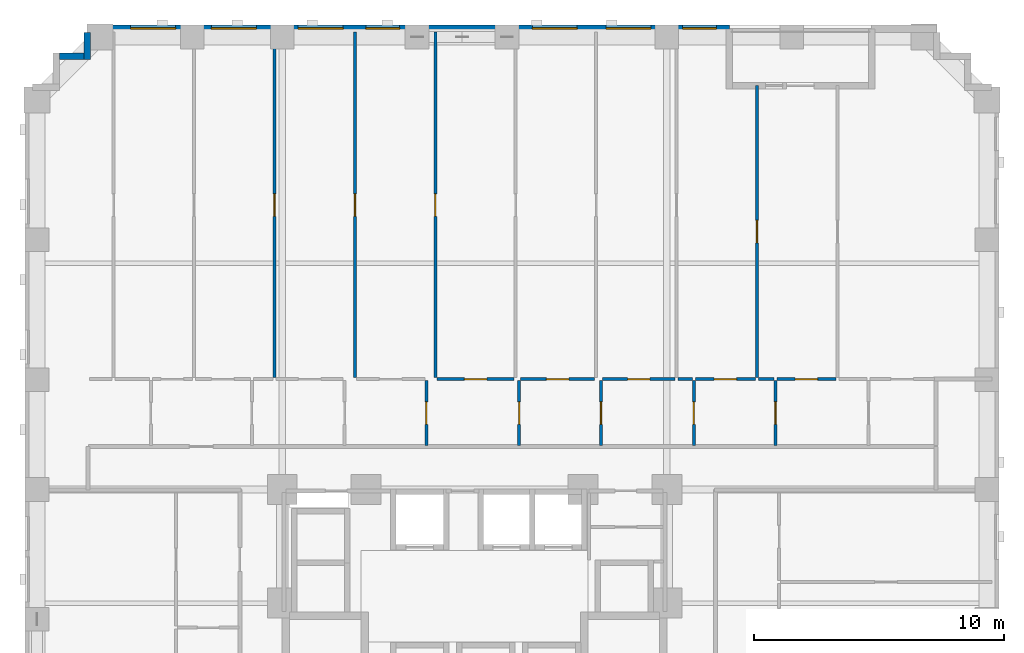
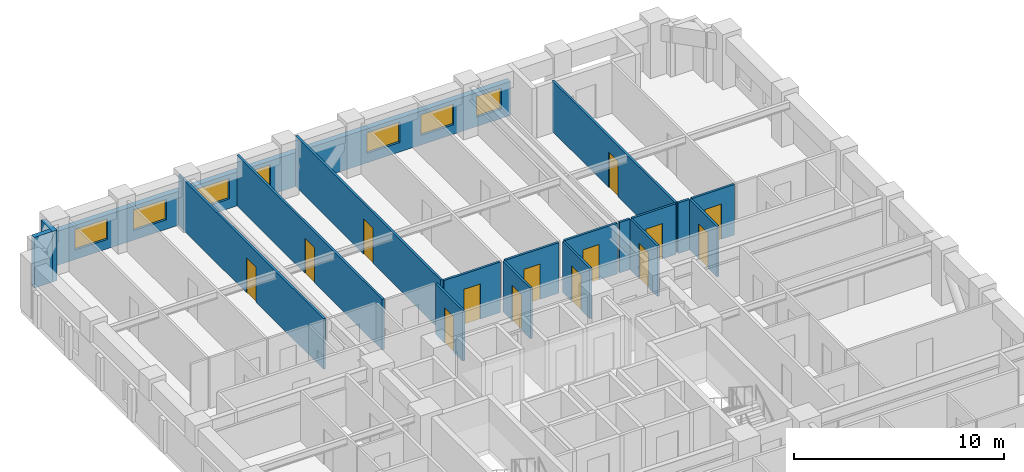
# One storey, part 8 of 14: 19 walls, 14 doors, 7 windows, 21 openings.
"""IFC4 building model written with IfcOpenShell, lengths in metres."""

import ifcopenshell
import ifcopenshell.guid

model = None  # the IFC model being written
_history = None  # IfcOwnerHistory: only IFC2X3 demands one
_inside = {}  # id of a spatial element -> (the spatial element, [elements in it])
_under = {}  # id of a project, library or spatial element -> (it, [spatial elements below it])
_declared = {}  # id of a project -> (the project, [libraries it declares])
_typed = {}  # id of a type object -> (the type object, [elements of that type])
_made_of = {}  # id of a material, layer set ... -> (it, [elements and type objects made of it])


def new_model(schema):
    """Start an empty IFC model of exactly this schema.

    Asked for "IFC4X3", IfcOpenShell would pick the latest addendum, in which some entities
    have other attributes; the version numbers below select the first issue.
    IFC2X3 requires an IfcOwnerHistory on every rooted entity: one is made here for all.
    """
    global model, _history
    if schema == "IFC4X3":
        model = ifcopenshell.file(schema_version=(4, 3, 0, 0))
    else:
        model = ifcopenshell.file(schema=schema)
    _inside.clear()
    _under.clear()
    _declared.clear()
    _typed.clear()
    _made_of.clear()
    _history = None
    if model.schema == "IFC2X3":
        org = make("IfcOrganization", Name="unknown")
        user = make(
            "IfcPersonAndOrganization",
            ThePerson=make("IfcPerson", FamilyName="unknown"),
            TheOrganization=org,
        )
        app = make(
            "IfcApplication",
            ApplicationDeveloper=org,
            Version="unknown",
            ApplicationFullName="unknown",
            ApplicationIdentifier="unknown",
        )
        _history = make(
            "IfcOwnerHistory",
            OwningUser=user,
            OwningApplication=app,
            ChangeAction="ADDED",
            CreationDate=0,
        )
    return model


def make(cls, **values):
    """One entity of the class cls with the attributes given. An attribute that is None is left unset."""
    return model.create_entity(
        cls, **{name: value for name, value in values.items() if value is not None}
    )


def rooted(cls, **values):
    """An entity with a GlobalId (a new one), such as an element, a storey or a relation."""
    return make(cls, GlobalId=ifcopenshell.guid.new(), OwnerHistory=_history, **values)


def si_unit(unit_type, name, prefix=None):
    """IfcSIUnit, for example si_unit("LENGTHUNIT", "METRE", prefix="MILLI")."""
    return make("IfcSIUnit", UnitType=unit_type, Prefix=prefix, Name=name)


def derived_unit(unit_type, elements):
    """IfcDerivedUnit: a product of units, each with its exponent."""
    return make(
        "IfcDerivedUnit",
        Elements=[
            make("IfcDerivedUnitElement", Unit=unit, Exponent=power)
            for unit, power in elements
        ],
        UnitType=unit_type,
    )


def assignment(units):
    """IfcUnitAssignment: the units of a project."""
    return None if units is None else make("IfcUnitAssignment", Units=units)


def point(xyz):
    """IfcCartesianPoint."""
    return None if xyz is None else make("IfcCartesianPoint", Coordinates=xyz)


def direction(xyz):
    """IfcDirection."""
    return None if xyz is None else make("IfcDirection", DirectionRatios=xyz)


def frame(location, z_axis=None, x_axis=None):
    """IfcAxis2Placement3D, a coordinate frame: its origin and axes. An axis left out is left unset."""
    return make(
        "IfcAxis2Placement3D",
        Location=point(location),
        Axis=direction(z_axis),
        RefDirection=direction(x_axis),
    )


def frame_2d(location, x_axis=None):
    """IfcAxis2Placement2D, a coordinate frame in the plane: its origin and x axis."""
    return make(
        "IfcAxis2Placement2D", Location=point(location), RefDirection=direction(x_axis)
    )


def origin():
    """The frame at (0, 0, 0) with its axes left unset."""
    return frame((0.0, 0.0, 0.0))


def place(relative_to, where):
    """IfcLocalPlacement: puts the frame where relative to a parent placement (None: the world)."""
    return make(
        "IfcLocalPlacement", PlacementRelTo=relative_to, RelativePlacement=where
    )


def context(
    kind, dimensions, precision=None, world=None, true_north=None, identifier=None
):
    """IfcGeometricRepresentationContext, for example the 3D "Model" context."""
    return make(
        "IfcGeometricRepresentationContext",
        ContextIdentifier=identifier,
        ContextType=kind,
        CoordinateSpaceDimension=dimensions,
        Precision=precision,
        WorldCoordinateSystem=world,
        TrueNorth=true_north,
    )


def subcontext(parent, identifier, kind, view, scale=None):
    """IfcGeometricRepresentationSubContext, for example "Body" below "Model"."""
    return make(
        "IfcGeometricRepresentationSubContext",
        ContextIdentifier=identifier,
        ContextType=kind,
        ParentContext=parent,
        TargetScale=scale,
        TargetView=view,
    )


def project(units=None, contexts=None):
    """IfcProject with its units and contexts."""
    return rooted(
        "IfcProject",
        Name="project",
        RepresentationContexts=contexts,
        UnitsInContext=assignment(units),
    )


def spatial(cls, under=None, at=None, **own):
    """A site, building, storey or space (cls), placed at a placement, below another one or the project."""
    s = rooted(cls, ObjectPlacement=at, **own)
    if under is not None:
        _under.setdefault(under.id(), (under, []))[1].append(s)
    return s


def profile(cls, at=None, kind="AREA", **sizes):
    """A parametric profile (cls). Its sizes go by their IFC names, for example OverallWidth=200.0."""
    return make(cls, ProfileType=kind, Position=at, **sizes)


def rectangle(**sizes):
    """IfcRectangleProfileDef."""
    return profile("IfcRectangleProfileDef", **sizes)


def extrude(swept, where, along, depth):
    """IfcExtrudedAreaSolid: the profile swept, set in the frame where, extruded along a direction by depth."""
    return make(
        "IfcExtrudedAreaSolid",
        SweptArea=swept,
        Position=where,
        ExtrudedDirection=direction(along),
        Depth=depth,
    )


def shape(context_of_items, identifier, shape_type, items):
    """IfcShapeRepresentation: the items that make up one representation, for example the "Body"."""
    return make(
        "IfcShapeRepresentation",
        ContextOfItems=context_of_items,
        RepresentationIdentifier=identifier,
        RepresentationType=shape_type,
        Items=items,
    )


def material(Name=None, Category=None):
    """IfcMaterial."""
    return make("IfcMaterial", Name=Name, Category=Category)


def layer(
    of_material, thickness, ventilated=None, Name=None, Category=None, Priority=None
):
    """IfcMaterialLayer: one layer of a wall or slab, of a material (None: an air gap)."""
    return make(
        "IfcMaterialLayer",
        Material=of_material,
        LayerThickness=thickness,
        IsVentilated=ventilated,
        Name=Name,
        Category=Category,
        Priority=Priority,
    )


def layer_set(layers, Name=None):
    """IfcMaterialLayerSet."""
    return make("IfcMaterialLayerSet", MaterialLayers=layers, LayerSetName=Name)


def made_of(thing, what):
    """Note that an element or type object is made of a material, layer set ...; save() writes the relation."""
    if what is not None:
        _made_of.setdefault(what.id(), (what, []))[1].append(thing)
    return thing


def type_object(cls, material=None, **own):
    """A type object (cls), such as IfcWallType, which elements share."""
    return made_of(rooted(cls, **own), material)


def element(
    cls,
    number,
    at=None,
    inside=None,
    cuts=None,
    type_object=None,
    material=None,
    context=None,
    identifier="Body",
    shape_type=None,
    held_by="IfcProductDefinitionShape",
    body=None,
    shapes=None,
    **own,
):
    """One element of the class cls, such as IfcWall. Its Tag is "e" and its number.

    at: its placement. inside: the storey or other place that contains it. cuts: it is an
    opening in that element (IfcRelVoidsElement). A single representation is given by context,
    identifier, shape_type and body (its items); several are given by shapes. held_by: the class
    of the entity that holds the representations. save() writes the other relations.
    """
    e = rooted(cls, Tag="e%d" % number, ObjectPlacement=at, **own)
    if body is not None:
        shapes = [shape(context, identifier, shape_type, body)]
    if shapes is not None:
        e.Representation = make(held_by, Representations=shapes)
    if inside is not None:
        _inside.setdefault(inside.id(), (inside, []))[1].append(e)
    if cuts is not None:
        rooted(
            "IfcRelVoidsElement", RelatingBuildingElement=cuts, RelatedOpeningElement=e
        )
    if type_object is not None:
        _typed.setdefault(type_object.id(), (type_object, []))[1].append(e)
    return made_of(e, material)


def fill(opening, filler):
    """IfcRelFillsElement: the door or window that sits in an opening."""
    return rooted(
        "IfcRelFillsElement",
        RelatingOpeningElement=opening,
        RelatedBuildingElement=filler,
    )


def aggregate(whole, parts):
    """IfcRelAggregates: a whole, such as a stair, and the parts it consists of."""
    return rooted("IfcRelAggregates", RelatingObject=whole, RelatedObjects=parts)


def save(model, path):
    """Write the relations noted so far, then the file.

    IfcRelAggregates (storeys below a building ...), IfcRelContainedInSpatialStructure (elements
    in a storey), IfcRelDefinesByType, IfcRelAssociatesMaterial and IfcRelDeclares: one each for
    every whole, place, type object, material and project.
    """
    for whole, parts in _under.values():
        aggregate(whole, parts)
    for where, things in _inside.values():
        rooted(
            "IfcRelContainedInSpatialStructure",
            RelatedElements=things,
            RelatingStructure=where,
        )
    for kind, things in _typed.values():
        rooted("IfcRelDefinesByType", RelatedObjects=things, RelatingType=kind)
    for what, things in _made_of.values():
        rooted("IfcRelAssociatesMaterial", RelatedObjects=things, RelatingMaterial=what)
    for by, libraries in _declared.values():
        rooted("IfcRelDeclares", RelatingContext=by, RelatedDefinitions=libraries)
    model.write(path)


model = new_model("IFC4")

# Units and contexts
model_context = context("Model", 3, precision=1e-05, world=origin(), true_north=direction((0.0, 1.0)))
body_context = subcontext(model_context, "Body", "Model", "MODEL_VIEW")
ifc_project = project(units=[si_unit("LENGTHUNIT", "METRE"), si_unit("AREAUNIT", "SQUARE_METRE"), si_unit("VOLUMEUNIT", "CUBIC_METRE"), si_unit("PLANEANGLEUNIT", "RADIAN"), si_unit("MASSUNIT", "GRAM", prefix="KILO"), derived_unit("THERMALTRANSMITTANCEUNIT", [(si_unit("MASSUNIT", "GRAM", prefix="KILO"), 1), (si_unit("TIMEUNIT", "SECOND"), -3), (si_unit("THERMODYNAMICTEMPERATUREUNIT", "KELVIN"), -1)])], contexts=[model_context])

# Site, building, storey
site_placement = place(None, origin())
site = spatial("IfcSite", under=ifc_project, at=site_placement, CompositionType="ELEMENT")
building_placement = place(site_placement, origin())
building = spatial("IfcBuilding", under=site, at=building_placement, Name="Korrvale Station Residences", CompositionType="ELEMENT")
storey_placement = place(building_placement, frame((0.0, 0.0, 38.60009765625)))
storey = spatial("IfcBuildingStorey", under=building, at=storey_placement, Name="L09", CompositionType="ELEMENT", Elevation=38.60009765625)

# Walls
ifc_material_1 = material(Name="Precast concrete C45/55", Category="concrete")
ifc_layer_1 = layer(ifc_material_1, 0.260009765625, Name="Precast concrete C45/55")
ifc_layer_set_1 = layer_set([ifc_layer_1], Name="Precast concrete C45/55")
wall_type_1 = type_object("IfcWallType", Name="WAL-EXT-LOG260", PredefinedType="SOLIDWALL", material=ifc_layer_set_1)
wall_1_placement = place(storey_placement, frame((8.882080078125, 46.35009765625, 0.0), z_axis=(0.0, 0.0, 1.0), x_axis=(1.0, 0.0, 0.0)))
element("IfcWall", 1, at=wall_1_placement, inside=storey, type_object=wall_type_1, Name="L09 Serrated Corner Precast Step NW-3", PredefinedType="SOLIDWALL", context=body_context, shape_type="SweptSolid", body=[
    extrude(rectangle(XDim=0.98583984375, YDim=0.260009765625, at=frame_2d((0.492919921875, 0.0))), origin(), (0.0, 0.0, 1.0), 2.93994140625),
])
wall_2_placement = place(storey_placement, frame((10.0, 46.219970703125, 0.0), z_axis=(0.0, 0.0, 1.0), x_axis=(0.0, 1.0, 0.0)))
element("IfcWall", 2, at=wall_2_placement, inside=storey, type_object=wall_type_1, Name="L09 Serrated Corner Precast Step NW-4", PredefinedType="SOLIDWALL", context=body_context, shape_type="SweptSolid", body=[
    extrude(rectangle(XDim=1.078125, YDim=0.260009765625, at=frame_2d((0.5390625, 0.0))), origin(), (0.0, 0.0, 1.0), 2.93994140625),
])

# Wall, openings, windows
ifc_layer_2 = layer(ifc_material_1, 0.300048828125, Name="Precast concrete C45/55")
ifc_layer_set_2 = layer_set([ifc_layer_2], Name="Precast concrete C45/55")
wall_type_2 = type_object("IfcWallType", Name="WAL-EXT-PC300", PredefinedType="SOLIDWALL", material=ifc_layer_set_2)
wall_3_placement = place(storey_placement, frame((10.0, 47.449951171875, 0.0), z_axis=(0.0, 0.0, 1.0), x_axis=(1.0, 0.0, 0.0)))
wall_3 = element("IfcWall", 3, at=wall_3_placement, inside=storey, type_object=wall_type_2, Name="L09 North Exterior Precast Wall 1", PredefinedType="SOLIDWALL", context=body_context, shape_type="SweptSolid", body=[
    extrude(rectangle(XDim=25.699951171875, YDim=0.300048828125, at=frame_2d((12.85009765625, 0.0))), origin(), (0.0, 0.0, 1.0), 1.974853515625),
])
opening_1_placement = place(wall_3_placement, frame((1.72998046875, 0.0, 0.550048828125)))
opening_1 = element("IfcOpeningElement", 4, at=opening_1_placement, cuts=wall_3, Name="Opening W-09", PredefinedType="OPENING", context=body_context, shape_type="SweptSolid", body=[
    extrude(rectangle(XDim=1.800048828125, YDim=1.199951171875, at=frame_2d((0.89990234375, 0.60009765625))), frame((0.0, 0.16015625, 0.0), z_axis=(0.0, -1.0, 0.0), x_axis=(1.0, 0.0, 0.0)), (0.0, 0.0, 1.0), 0.320068359375),
])
opening_2_placement = place(wall_3_placement, frame((4.9609375, 0.0, 0.550048828125)))
opening_2 = element("IfcOpeningElement", 5, at=opening_2_placement, cuts=wall_3, Name="Opening W-09", PredefinedType="OPENING", context=body_context, shape_type="SweptSolid", body=[
    extrude(rectangle(XDim=1.800048828125, YDim=1.199951171875, at=frame_2d((0.89990234375, 0.60009765625))), frame((0.0, 0.16015625, 0.0), z_axis=(0.0, -1.0, 0.0), x_axis=(1.0, 0.0, 0.0)), (0.0, 0.0, 1.0), 0.320068359375),
])
opening_3_placement = place(wall_3_placement, frame((8.43505859375, 0.0, 0.550048828125)))
opening_3 = element("IfcOpeningElement", 6, at=opening_3_placement, cuts=wall_3, Name="Opening W-09", PredefinedType="OPENING", context=body_context, shape_type="SweptSolid", body=[
    extrude(rectangle(XDim=1.800048828125, YDim=1.199951171875, at=frame_2d((0.89990234375, 0.60009765625))), frame((0.0, 0.16015625, 0.0), z_axis=(0.0, -1.0, 0.0), x_axis=(1.0, 0.0, 0.0)), (0.0, 0.0, 1.0), 0.320068359375),
])
opening_4_placement = place(wall_3_placement, frame((11.14990234375, 0.0, 0.550048828125)))
opening_4 = element("IfcOpeningElement", 7, at=opening_4_placement, cuts=wall_3, Name="Opening W-10", PredefinedType="OPENING", context=body_context, shape_type="SweptSolid", body=[
    extrude(rectangle(XDim=1.35009765625, YDim=1.199951171875, at=frame_2d((0.675048828125, 0.60009765625))), frame((0.0, 0.16015625, 0.0), z_axis=(0.0, -1.0, 0.0), x_axis=(1.0, 0.0, 0.0)), (0.0, 0.0, 1.0), 0.320068359375),
])
opening_5_placement = place(wall_3_placement, frame((17.81201171875, 0.0, 0.550048828125)))
opening_5 = element("IfcOpeningElement", 8, at=opening_5_placement, cuts=wall_3, Name="Opening W-09", PredefinedType="OPENING", context=body_context, shape_type="SweptSolid", body=[
    extrude(rectangle(XDim=1.800048828125, YDim=1.199951171875, at=frame_2d((0.89990234375, 0.60009765625))), frame((0.0, 0.16015625, 0.0), z_axis=(0.0, -1.0, 0.0), x_axis=(1.0, 0.0, 0.0)), (0.0, 0.0, 1.0), 0.320068359375),
])
opening_6_placement = place(wall_3_placement, frame((20.764892578125, 0.0, 0.550048828125)))
opening_6 = element("IfcOpeningElement", 9, at=opening_6_placement, cuts=wall_3, Name="Opening W-09", PredefinedType="OPENING", context=body_context, shape_type="SweptSolid", body=[
    extrude(rectangle(XDim=1.800048828125, YDim=1.199951171875, at=frame_2d((0.89990234375, 0.60009765625))), frame((0.0, 0.16015625, 0.0), z_axis=(0.0, -1.0, 0.0), x_axis=(1.0, 0.0, 0.0)), (0.0, 0.0, 1.0), 0.320068359375),
])
opening_7_placement = place(wall_3_placement, frame((23.8349609375, 0.0, 0.550048828125)))
opening_7 = element("IfcOpeningElement", 10, at=opening_7_placement, cuts=wall_3, Name="Opening W-10", PredefinedType="OPENING", context=body_context, shape_type="SweptSolid", body=[
    extrude(rectangle(XDim=1.35009765625, YDim=1.199951171875, at=frame_2d((0.675048828125, 0.60009765625))), frame((0.0, 0.16015625, 0.0), z_axis=(0.0, -1.0, 0.0), x_axis=(1.0, 0.0, 0.0)), (0.0, 0.0, 1.0), 0.320068359375),
])
ifc_material_2 = material(Name="Thermally broken aluminium frame with triple low-e glazing", Category="aluminium")
window_type_1 = type_object("IfcWindowType", Name="WIN-W09", PartitioningType="DOUBLE_PANEL_VERTICAL", PredefinedType="WINDOW", material=ifc_material_2)
window_1_placement = place(opening_1_placement, origin())
window_1 = element("IfcWindow", 11, at=window_1_placement, inside=storey, type_object=window_type_1, Name="L09 Punched Window 15", OverallHeight=1.199951171875, OverallWidth=1.800048828125, PartitioningType="DOUBLE_PANEL_VERTICAL", PredefinedType="WINDOW", context=body_context, shape_type="SweptSolid", body=[
    extrude(rectangle(XDim=1.800048828125, YDim=1.199951171875, at=frame_2d((0.89990234375, 0.60009765625))), frame((0.0, 0.030029296875, 0.0), z_axis=(0.0, -1.0, 0.0), x_axis=(1.0, 0.0, 0.0)), (0.0, 0.0, 1.0), 0.06005859375),
])
fill(opening_1, window_1)
window_2_placement = place(opening_2_placement, origin())
window_2 = element("IfcWindow", 12, at=window_2_placement, inside=storey, type_object=window_type_1, Name="L09 Punched Window 16", OverallHeight=1.199951171875, OverallWidth=1.800048828125, PartitioningType="DOUBLE_PANEL_VERTICAL", PredefinedType="WINDOW", context=body_context, shape_type="SweptSolid", body=[
    extrude(rectangle(XDim=1.800048828125, YDim=1.199951171875, at=frame_2d((0.89990234375, 0.60009765625))), frame((0.0, 0.030029296875, 0.0), z_axis=(0.0, -1.0, 0.0), x_axis=(1.0, 0.0, 0.0)), (0.0, 0.0, 1.0), 0.06005859375),
])
fill(opening_2, window_2)
window_3_placement = place(opening_3_placement, origin())
window_3 = element("IfcWindow", 13, at=window_3_placement, inside=storey, type_object=window_type_1, Name="L09 Punched Window 17", OverallHeight=1.199951171875, OverallWidth=1.800048828125, PartitioningType="DOUBLE_PANEL_VERTICAL", PredefinedType="WINDOW", context=body_context, shape_type="SweptSolid", body=[
    extrude(rectangle(XDim=1.800048828125, YDim=1.199951171875, at=frame_2d((0.89990234375, 0.60009765625))), frame((0.0, 0.030029296875, 0.0), z_axis=(0.0, -1.0, 0.0), x_axis=(1.0, 0.0, 0.0)), (0.0, 0.0, 1.0), 0.06005859375),
])
fill(opening_3, window_3)
window_4_placement = place(opening_5_placement, origin())
window_4 = element("IfcWindow", 14, at=window_4_placement, inside=storey, type_object=window_type_1, Name="L09 Punched Window 19", OverallHeight=1.199951171875, OverallWidth=1.800048828125, PartitioningType="DOUBLE_PANEL_VERTICAL", PredefinedType="WINDOW", context=body_context, shape_type="SweptSolid", body=[
    extrude(rectangle(XDim=1.800048828125, YDim=1.199951171875, at=frame_2d((0.89990234375, 0.60009765625))), frame((0.0, 0.030029296875, 0.0), z_axis=(0.0, -1.0, 0.0), x_axis=(1.0, 0.0, 0.0)), (0.0, 0.0, 1.0), 0.06005859375),
])
fill(opening_5, window_4)
window_5_placement = place(opening_6_placement, origin())
window_5 = element("IfcWindow", 15, at=window_5_placement, inside=storey, type_object=window_type_1, Name="L09 Punched Window 20", OverallHeight=1.199951171875, OverallWidth=1.800048828125, PartitioningType="DOUBLE_PANEL_VERTICAL", PredefinedType="WINDOW", context=body_context, shape_type="SweptSolid", body=[
    extrude(rectangle(XDim=1.800048828125, YDim=1.199951171875, at=frame_2d((0.89990234375, 0.60009765625))), frame((0.0, 0.030029296875, 0.0), z_axis=(0.0, -1.0, 0.0), x_axis=(1.0, 0.0, 0.0)), (0.0, 0.0, 1.0), 0.06005859375),
])
fill(opening_6, window_5)
window_type_2 = type_object("IfcWindowType", Name="WIN-W10", PartitioningType="SINGLE_PANEL", PredefinedType="WINDOW", material=ifc_material_2)
window_6_placement = place(opening_4_placement, origin())
window_6 = element("IfcWindow", 16, at=window_6_placement, inside=storey, type_object=window_type_2, Name="L09 Punched Window 18", OverallHeight=1.199951171875, OverallWidth=1.35009765625, PartitioningType="SINGLE_PANEL", PredefinedType="WINDOW", context=body_context, shape_type="SweptSolid", body=[
    extrude(rectangle(XDim=1.35009765625, YDim=1.199951171875, at=frame_2d((0.675048828125, 0.60009765625))), frame((0.0, 0.030029296875, 0.0), z_axis=(0.0, -1.0, 0.0), x_axis=(1.0, 0.0, 0.0)), (0.0, 0.0, 1.0), 0.06005859375),
])
fill(opening_4, window_6)
window_7_placement = place(opening_7_placement, origin())
window_7 = element("IfcWindow", 17, at=window_7_placement, inside=storey, type_object=window_type_2, Name="L09 Punched Window 21", OverallHeight=1.199951171875, OverallWidth=1.35009765625, PartitioningType="SINGLE_PANEL", PredefinedType="WINDOW", context=body_context, shape_type="SweptSolid", body=[
    extrude(rectangle(XDim=1.35009765625, YDim=1.199951171875, at=frame_2d((0.675048828125, 0.60009765625))), frame((0.0, 0.030029296875, 0.0), z_axis=(0.0, -1.0, 0.0), x_axis=(1.0, 0.0, 0.0)), (0.0, 0.0, 1.0), 0.06005859375),
])
fill(opening_7, window_7)

# Wall, opening, door
ifc_material_3 = material(Name="Acoustic steel-stud gypsum board partition", Category="steel")
ifc_layer_3 = layer(ifc_material_3, 0.1201171875, Name="Acoustic steel-stud gypsum board partition")
ifc_layer_set_3 = layer_set([ifc_layer_3], Name="Acoustic steel-stud gypsum board partition")
wall_type_3 = type_object("IfcWallType", Name="WAL-PART-125", PredefinedType="PARTITIONING", material=ifc_layer_set_3)
wall_4_placement = place(storey_placement, frame((23.570068359375, 30.760009765625, 0.0), z_axis=(0.0, 0.0, 1.0), x_axis=(0.0, 1.0, 0.0)))
wall_4 = element("IfcWall", 18, at=wall_4_placement, inside=storey, type_object=wall_type_3, Name="L09 Suite Partition U03-V34", PredefinedType="PARTITIONING", context=body_context, shape_type="SweptSolid", body=[
    extrude(rectangle(XDim=2.60009765625, YDim=0.1201171875, at=frame_2d((1.300048828125, 0.0))), origin(), (0.0, 0.0, 1.0), 2.93994140625),
])
opening_8_placement = place(wall_4_placement, frame((0.85009765625, 0.0, 0.0)))
opening_8 = element("IfcOpeningElement", 19, at=opening_8_placement, cuts=wall_4, Name="Opening DI-900", PredefinedType="OPENING", context=body_context, shape_type="SweptSolid", body=[
    extrude(rectangle(XDim=0.89990234375, YDim=2.050048828125, at=frame_2d((0.449951171875, 1.02490234375))), frame((0.0, 0.070068359375, 0.0), z_axis=(0.0, -1.0, 0.0), x_axis=(1.0, 0.0, 0.0)), (0.0, 0.0, 1.0), 0.14013671875),
])
ifc_material_4 = material(Name="Painted solid-core timber interior room door", Category="wood")
door_type = type_object("IfcDoorType", Name="DR-INT-900", OperationType="NOTDEFINED", PredefinedType="DOOR", material=ifc_material_4)
door_1_placement = place(opening_8_placement, origin())
door_1 = element("IfcDoor", 20, at=door_1_placement, inside=storey, type_object=door_type, Name="L09 Studio Apartment L09-U03 Storage Closet 2 Door", OperationType="SINGLE_SWING_LEFT", OverallHeight=2.050048828125, OverallWidth=0.89990234375, PredefinedType="DOOR", context=body_context, shape_type="SweptSolid", body=[
    extrude(rectangle(XDim=0.89990234375, YDim=2.050048828125, at=frame_2d((0.449951171875, 1.02490234375))), frame((0.0, 0.02490234375, 0.0), z_axis=(0.0, -1.0, 0.0), x_axis=(1.0, 0.0, 0.0)), (0.0, 0.0, 1.0), 0.050048828125),
])
fill(opening_8, door_1)

wall_5_placement = place(storey_placement, frame((27.2900390625, 30.760009765625, 0.0), z_axis=(0.0, 0.0, 1.0), x_axis=(0.0, 1.0, 0.0)))
wall_5 = element("IfcWall", 21, at=wall_5_placement, inside=storey, type_object=wall_type_3, Name="L09 Suite Partition U03-V45", PredefinedType="PARTITIONING", context=body_context, shape_type="SweptSolid", body=[
    extrude(rectangle(XDim=2.60009765625, YDim=0.1201171875, at=frame_2d((1.300048828125, 0.0))), origin(), (0.0, 0.0, 1.0), 2.93994140625),
])
opening_9_placement = place(wall_5_placement, frame((0.85009765625, 0.0, 0.0)))
opening_9 = element("IfcOpeningElement", 22, at=opening_9_placement, cuts=wall_5, Name="Opening DI-900", PredefinedType="OPENING", context=body_context, shape_type="SweptSolid", body=[
    extrude(rectangle(XDim=0.89990234375, YDim=2.050048828125, at=frame_2d((0.449951171875, 1.02490234375))), frame((0.0, 0.070068359375, 0.0), z_axis=(0.0, -1.0, 0.0), x_axis=(1.0, 0.0, 0.0)), (0.0, 0.0, 1.0), 0.14013671875),
])
door_2_placement = place(opening_9_placement, origin())
door_2 = element("IfcDoor", 23, at=door_2_placement, inside=storey, type_object=door_type, Name="L09 Studio Apartment L09-U03 Storage Closet 3 Door", OperationType="SINGLE_SWING_LEFT", OverallHeight=2.050048828125, OverallWidth=0.89990234375, PredefinedType="DOOR", context=body_context, shape_type="SweptSolid", body=[
    extrude(rectangle(XDim=0.89990234375, YDim=2.050048828125, at=frame_2d((0.449951171875, 1.02490234375))), frame((0.0, 0.02490234375, 0.0), z_axis=(0.0, -1.0, 0.0), x_axis=(1.0, 0.0, 0.0)), (0.0, 0.0, 1.0), 0.050048828125),
])
fill(opening_9, door_2)

wall_6_placement = place(storey_placement, frame((23.989990234375, 33.419921875, 0.0), z_axis=(0.0, 0.0, 1.0), x_axis=(1.0, 0.0, 0.0)))
wall_6 = element("IfcWall", 24, at=wall_6_placement, inside=storey, type_object=wall_type_3, Name="L09 Suite Partition U03-H415", PredefinedType="PARTITIONING", context=body_context, shape_type="SweptSolid", body=[
    extrude(rectangle(XDim=3.10009765625, YDim=0.1201171875, at=frame_2d((1.550048828125, 0.0))), origin(), (0.0, 0.0, 1.0), 2.93994140625),
])
opening_10_placement = place(wall_6_placement, frame((1.10009765625, 0.0, 0.0)))
opening_10 = element("IfcOpeningElement", 25, at=opening_10_placement, cuts=wall_6, Name="Opening DI-900", PredefinedType="OPENING", context=body_context, shape_type="SweptSolid", body=[
    extrude(rectangle(XDim=0.89990234375, YDim=2.050048828125, at=frame_2d((0.449951171875, 1.02490234375))), frame((0.0, 0.070068359375, 0.0), z_axis=(0.0, -1.0, 0.0), x_axis=(1.0, 0.0, 0.0)), (0.0, 0.0, 1.0), 0.14013671875),
])
door_3_placement = place(opening_10_placement, origin())
door_3 = element("IfcDoor", 26, at=door_3_placement, inside=storey, type_object=door_type, Name="L09 Studio Apartment L09-U03 Storage Closet 3 Door", OperationType="SINGLE_SWING_RIGHT", OverallHeight=2.050048828125, OverallWidth=0.89990234375, PredefinedType="DOOR", context=body_context, shape_type="SweptSolid", body=[
    extrude(rectangle(XDim=0.89990234375, YDim=2.050048828125, at=frame_2d((0.449951171875, 1.02490234375))), frame((0.0, 0.02490234375, 0.0), z_axis=(0.0, -1.0, 0.0), x_axis=(1.0, 0.0, 0.0)), (0.0, 0.0, 1.0), 0.050048828125),
])
fill(opening_10, door_3)

wall_7_placement = place(storey_placement, frame((30.56005859375, 30.760009765625, 0.0), z_axis=(0.0, 0.0, 1.0), x_axis=(0.0, 1.0, 0.0)))
wall_7 = element("IfcWall", 27, at=wall_7_placement, inside=storey, type_object=wall_type_3, Name="L09 Suite Partition U03-V56", PredefinedType="PARTITIONING", context=body_context, shape_type="SweptSolid", body=[
    extrude(rectangle(XDim=2.60009765625, YDim=0.1201171875, at=frame_2d((1.300048828125, 0.0))), origin(), (0.0, 0.0, 1.0), 2.93994140625),
])
opening_11_placement = place(wall_7_placement, frame((0.85009765625, 0.0, 0.0)))
opening_11 = element("IfcOpeningElement", 28, at=opening_11_placement, cuts=wall_7, Name="Opening DI-900", PredefinedType="OPENING", context=body_context, shape_type="SweptSolid", body=[
    extrude(rectangle(XDim=0.89990234375, YDim=2.050048828125, at=frame_2d((0.449951171875, 1.02490234375))), frame((0.0, 0.070068359375, 0.0), z_axis=(0.0, -1.0, 0.0), x_axis=(1.0, 0.0, 0.0)), (0.0, 0.0, 1.0), 0.14013671875),
])
door_4_placement = place(opening_11_placement, origin())
door_4 = element("IfcDoor", 29, at=door_4_placement, inside=storey, type_object=door_type, Name="L09 Studio Apartment L09-U03 Storage Closet 4 Door", OperationType="SINGLE_SWING_LEFT", OverallHeight=2.050048828125, OverallWidth=0.89990234375, PredefinedType="DOOR", context=body_context, shape_type="SweptSolid", body=[
    extrude(rectangle(XDim=0.89990234375, YDim=2.050048828125, at=frame_2d((0.449951171875, 1.02490234375))), frame((0.0, 0.02490234375, 0.0), z_axis=(0.0, -1.0, 0.0), x_axis=(1.0, 0.0, 0.0)), (0.0, 0.0, 1.0), 0.050048828125),
])
fill(opening_11, door_4)

wall_8_placement = place(storey_placement, frame((27.35009765625, 33.419921875, 0.0), z_axis=(0.0, 0.0, 1.0), x_axis=(1.0, 0.0, 0.0)))
wall_8 = element("IfcWall", 30, at=wall_8_placement, inside=storey, type_object=wall_type_3, Name="L09 Suite Partition U03-H516", PredefinedType="PARTITIONING", context=body_context, shape_type="SweptSolid", body=[
    extrude(rectangle(XDim=2.9599609375, YDim=0.1201171875, at=frame_2d((1.47998046875, 0.0))), origin(), (0.0, 0.0, 1.0), 2.93994140625),
])
opening_12_placement = place(wall_8_placement, frame((1.030029296875, 0.0, 0.0)))
opening_12 = element("IfcOpeningElement", 31, at=opening_12_placement, cuts=wall_8, Name="Opening DI-900", PredefinedType="OPENING", context=body_context, shape_type="SweptSolid", body=[
    extrude(rectangle(XDim=0.89990234375, YDim=2.050048828125, at=frame_2d((0.449951171875, 1.02490234375))), frame((0.0, 0.070068359375, 0.0), z_axis=(0.0, -1.0, 0.0), x_axis=(1.0, 0.0, 0.0)), (0.0, 0.0, 1.0), 0.14013671875),
])
door_5_placement = place(opening_12_placement, origin())
door_5 = element("IfcDoor", 32, at=door_5_placement, inside=storey, type_object=door_type, Name="L09 Studio Apartment L09-U03 Storage Closet 4 Door", OperationType="SINGLE_SWING_RIGHT", OverallHeight=2.050048828125, OverallWidth=0.89990234375, PredefinedType="DOOR", context=body_context, shape_type="SweptSolid", body=[
    extrude(rectangle(XDim=0.89990234375, YDim=2.050048828125, at=frame_2d((0.449951171875, 1.02490234375))), frame((0.0, 0.02490234375, 0.0), z_axis=(0.0, -1.0, 0.0), x_axis=(1.0, 0.0, 0.0)), (0.0, 0.0, 1.0), 0.050048828125),
])
fill(opening_12, door_5)

wall_9_placement = place(storey_placement, frame((34.280029296875, 30.760009765625, 0.0), z_axis=(0.0, 0.0, 1.0), x_axis=(0.0, 1.0, 0.0)))
wall_9 = element("IfcWall", 33, at=wall_9_placement, inside=storey, type_object=wall_type_3, Name="L09 Suite Partition U03-V67", PredefinedType="PARTITIONING", context=body_context, shape_type="SweptSolid", body=[
    extrude(rectangle(XDim=2.60009765625, YDim=0.1201171875, at=frame_2d((1.300048828125, 0.0))), origin(), (0.0, 0.0, 1.0), 2.93994140625),
])
opening_13_placement = place(wall_9_placement, frame((0.85009765625, 0.0, 0.0)))
opening_13 = element("IfcOpeningElement", 34, at=opening_13_placement, cuts=wall_9, Name="Opening DI-900", PredefinedType="OPENING", context=body_context, shape_type="SweptSolid", body=[
    extrude(rectangle(XDim=0.89990234375, YDim=2.050048828125, at=frame_2d((0.449951171875, 1.02490234375))), frame((0.0, 0.070068359375, 0.0), z_axis=(0.0, -1.0, 0.0), x_axis=(1.0, 0.0, 0.0)), (0.0, 0.0, 1.0), 0.14013671875),
])
door_6_placement = place(opening_13_placement, origin())
door_6 = element("IfcDoor", 35, at=door_6_placement, inside=storey, type_object=door_type, Name="L09 Studio Apartment L09-U03 Storage Closet 5 Door", OperationType="SINGLE_SWING_LEFT", OverallHeight=2.050048828125, OverallWidth=0.89990234375, PredefinedType="DOOR", context=body_context, shape_type="SweptSolid", body=[
    extrude(rectangle(XDim=0.89990234375, YDim=2.050048828125, at=frame_2d((0.449951171875, 1.02490234375))), frame((0.0, 0.02490234375, 0.0), z_axis=(0.0, -1.0, 0.0), x_axis=(1.0, 0.0, 0.0)), (0.0, 0.0, 1.0), 0.050048828125),
])
fill(opening_13, door_6)

wall_10_placement = place(storey_placement, frame((30.6201171875, 33.419921875, 0.0), z_axis=(0.0, 0.0, 1.0), x_axis=(1.0, 0.0, 0.0)))
wall_10 = element("IfcWall", 36, at=wall_10_placement, inside=storey, type_object=wall_type_3, Name="L09 Suite Partition U03-H617", PredefinedType="PARTITIONING", context=body_context, shape_type="SweptSolid", body=[
    extrude(rectangle(XDim=2.909912109375, YDim=0.1201171875, at=frame_2d((1.455078125, 0.0))), origin(), (0.0, 0.0, 1.0), 2.93994140625),
])
opening_14_placement = place(wall_10_placement, frame((1.0048828125, 0.0, 0.0)))
opening_14 = element("IfcOpeningElement", 37, at=opening_14_placement, cuts=wall_10, Name="Opening DI-900", PredefinedType="OPENING", context=body_context, shape_type="SweptSolid", body=[
    extrude(rectangle(XDim=0.89990234375, YDim=2.050048828125, at=frame_2d((0.449951171875, 1.02490234375))), frame((0.0, 0.070068359375, 0.0), z_axis=(0.0, -1.0, 0.0), x_axis=(1.0, 0.0, 0.0)), (0.0, 0.0, 1.0), 0.14013671875),
])
door_7_placement = place(opening_14_placement, origin())
door_7 = element("IfcDoor", 38, at=door_7_placement, inside=storey, type_object=door_type, Name="L09 Studio Apartment L09-U03 Storage Closet 5 Door", OperationType="SINGLE_SWING_RIGHT", OverallHeight=2.050048828125, OverallWidth=0.89990234375, PredefinedType="DOOR", context=body_context, shape_type="SweptSolid", body=[
    extrude(rectangle(XDim=0.89990234375, YDim=2.050048828125, at=frame_2d((0.449951171875, 1.02490234375))), frame((0.0, 0.02490234375, 0.0), z_axis=(0.0, -1.0, 0.0), x_axis=(1.0, 0.0, 0.0)), (0.0, 0.0, 1.0), 0.050048828125),
])
fill(opening_14, door_7)

# Wall
wall_11_placement = place(storey_placement, frame((33.64990234375, 33.419921875, 0.0), z_axis=(0.0, 0.0, 1.0), x_axis=(1.0, 0.0, 0.0)))
element("IfcWall", 39, at=wall_11_placement, inside=storey, type_object=wall_type_3, Name="L09 Suite Partition U03-H618", PredefinedType="PARTITIONING", context=body_context, shape_type="SweptSolid", body=[
    extrude(rectangle(XDim=0.570068359375, YDim=0.1201171875, at=frame_2d((0.28515625, 0.0))), origin(), (0.0, 0.0, 1.0), 2.93994140625),
])

# Wall, opening, door
wall_12_placement = place(storey_placement, frame((37.550048828125, 30.760009765625, 0.0), z_axis=(0.0, 0.0, 1.0), x_axis=(0.0, 1.0, 0.0)))
wall_12 = element("IfcWall", 40, at=wall_12_placement, inside=storey, type_object=wall_type_3, Name="L09 Suite Partition U03-V78", PredefinedType="PARTITIONING", context=body_context, shape_type="SweptSolid", body=[
    extrude(rectangle(XDim=2.60009765625, YDim=0.1201171875, at=frame_2d((1.300048828125, 0.0))), origin(), (0.0, 0.0, 1.0), 2.93994140625),
])
opening_15_placement = place(wall_12_placement, frame((0.85009765625, 0.0, 0.0)))
opening_15 = element("IfcOpeningElement", 41, at=opening_15_placement, cuts=wall_12, Name="Opening DI-900", PredefinedType="OPENING", context=body_context, shape_type="SweptSolid", body=[
    extrude(rectangle(XDim=0.89990234375, YDim=2.050048828125, at=frame_2d((0.449951171875, 1.02490234375))), frame((0.0, 0.070068359375, 0.0), z_axis=(0.0, -1.0, 0.0), x_axis=(1.0, 0.0, 0.0)), (0.0, 0.0, 1.0), 0.14013671875),
])
door_8_placement = place(opening_15_placement, origin())
door_8 = element("IfcDoor", 42, at=door_8_placement, inside=storey, type_object=door_type, Name="L09 Studio Apartment L09-U03 Storage Closet 6 Door", OperationType="SINGLE_SWING_LEFT", OverallHeight=2.050048828125, OverallWidth=0.89990234375, PredefinedType="DOOR", context=body_context, shape_type="SweptSolid", body=[
    extrude(rectangle(XDim=0.89990234375, YDim=2.050048828125, at=frame_2d((0.449951171875, 1.02490234375))), frame((0.0, 0.02490234375, 0.0), z_axis=(0.0, -1.0, 0.0), x_axis=(1.0, 0.0, 0.0)), (0.0, 0.0, 1.0), 0.050048828125),
])
fill(opening_15, door_8)

wall_13_placement = place(storey_placement, frame((34.340087890625, 33.419921875, 0.0), z_axis=(0.0, 0.0, 1.0), x_axis=(1.0, 0.0, 0.0)))
wall_13 = element("IfcWall", 43, at=wall_13_placement, inside=storey, type_object=wall_type_3, Name="L09 Suite Partition U03-H718", PredefinedType="PARTITIONING", context=body_context, shape_type="SweptSolid", body=[
    extrude(rectangle(XDim=2.409912109375, YDim=0.1201171875, at=frame_2d((1.205078125, 0.0))), origin(), (0.0, 0.0, 1.0), 2.93994140625),
])
opening_16_placement = place(wall_13_placement, frame((0.7548828125, 0.0, 0.0)))
opening_16 = element("IfcOpeningElement", 44, at=opening_16_placement, cuts=wall_13, Name="Opening DI-900", PredefinedType="OPENING", context=body_context, shape_type="SweptSolid", body=[
    extrude(rectangle(XDim=0.89990234375, YDim=2.050048828125, at=frame_2d((0.449951171875, 1.02490234375))), frame((0.0, 0.070068359375, 0.0), z_axis=(0.0, -1.0, 0.0), x_axis=(1.0, 0.0, 0.0)), (0.0, 0.0, 1.0), 0.14013671875),
])
door_9_placement = place(opening_16_placement, origin())
door_9 = element("IfcDoor", 45, at=door_9_placement, inside=storey, type_object=door_type, Name="L09 Studio Apartment L09-U03 Storage Closet 6 Door", OperationType="SINGLE_SWING_RIGHT", OverallHeight=2.050048828125, OverallWidth=0.89990234375, PredefinedType="DOOR", context=body_context, shape_type="SweptSolid", body=[
    extrude(rectangle(XDim=0.89990234375, YDim=2.050048828125, at=frame_2d((0.449951171875, 1.02490234375))), frame((0.0, 0.02490234375, 0.0), z_axis=(0.0, -1.0, 0.0), x_axis=(1.0, 0.0, 0.0)), (0.0, 0.0, 1.0), 0.050048828125),
])
fill(opening_16, door_9)

# Wall
wall_14_placement = place(storey_placement, frame((36.8701171875, 33.419921875, 0.0), z_axis=(0.0, 0.0, 1.0), x_axis=(1.0, 0.0, 0.0)))
element("IfcWall", 46, at=wall_14_placement, inside=storey, type_object=wall_type_3, Name="L09 Suite Partition U03-H719", PredefinedType="PARTITIONING", context=body_context, shape_type="SweptSolid", body=[
    extrude(rectangle(XDim=0.619873046875, YDim=0.1201171875, at=frame_2d((0.31005859375, 0.0))), origin(), (0.0, 0.0, 1.0), 2.93994140625),
])

# Wall, opening, door
wall_15_placement = place(storey_placement, frame((37.610107421875, 33.419921875, 0.0), z_axis=(0.0, 0.0, 1.0), x_axis=(1.0, 0.0, 0.0)))
wall_15 = element("IfcWall", 47, at=wall_15_placement, inside=storey, type_object=wall_type_3, Name="L09 Suite Partition U03-H819", PredefinedType="PARTITIONING", context=body_context, shape_type="SweptSolid", body=[
    extrude(rectangle(XDim=2.35986328125, YDim=0.1201171875, at=frame_2d((1.179931640625, 0.0))), origin(), (0.0, 0.0, 1.0), 2.93994140625),
])
opening_17_placement = place(wall_15_placement, frame((0.72998046875, 0.0, 0.0)))
opening_17 = element("IfcOpeningElement", 48, at=opening_17_placement, cuts=wall_15, Name="Opening DI-900", PredefinedType="OPENING", context=body_context, shape_type="SweptSolid", body=[
    extrude(rectangle(XDim=0.89990234375, YDim=2.050048828125, at=frame_2d((0.449951171875, 1.02490234375))), frame((0.0, 0.070068359375, 0.0), z_axis=(0.0, -1.0, 0.0), x_axis=(1.0, 0.0, 0.0)), (0.0, 0.0, 1.0), 0.14013671875),
])
door_10_placement = place(opening_17_placement, origin())
door_10 = element("IfcDoor", 49, at=door_10_placement, inside=storey, type_object=door_type, Name="L09 Studio Apartment L09-U03 Storage Closet 7 Door", OperationType="SINGLE_SWING_RIGHT", OverallHeight=2.050048828125, OverallWidth=0.89990234375, PredefinedType="DOOR", context=body_context, shape_type="SweptSolid", body=[
    extrude(rectangle(XDim=0.89990234375, YDim=2.050048828125, at=frame_2d((0.449951171875, 1.02490234375))), frame((0.0, 0.02490234375, 0.0), z_axis=(0.0, -1.0, 0.0), x_axis=(1.0, 0.0, 0.0)), (0.0, 0.0, 1.0), 0.050048828125),
])
fill(opening_17, door_10)

wall_16_placement = place(storey_placement, frame((17.489990234375, 33.47998046875, 0.0), z_axis=(0.0, 0.0, 1.0), x_axis=(0.0, 1.0, 0.0)))
wall_16 = element("IfcWall", 50, at=wall_16_placement, inside=storey, type_object=wall_type_3, Name="L09 Suite Partition U03-V1213", PredefinedType="PARTITIONING", context=body_context, shape_type="SweptSolid", body=[
    extrude(rectangle(XDim=13.840087890625, YDim=0.1201171875, at=frame_2d((6.919921875, 0.0))), origin(), (0.0, 0.0, 1.0), 2.93994140625),
])
opening_18_placement = place(wall_16_placement, frame((6.455078125, 0.0, 0.0)))
opening_18 = element("IfcOpeningElement", 51, at=opening_18_placement, cuts=wall_16, Name="Opening DI-900", PredefinedType="OPENING", context=body_context, shape_type="SweptSolid", body=[
    extrude(rectangle(XDim=0.89990234375, YDim=2.050048828125, at=frame_2d((0.449951171875, 1.02490234375))), frame((0.0, 0.070068359375, 0.0), z_axis=(0.0, -1.0, 0.0), x_axis=(1.0, 0.0, 0.0)), (0.0, 0.0, 1.0), 0.14013671875),
])
door_11_placement = place(opening_18_placement, origin())
door_11 = element("IfcDoor", 52, at=door_11_placement, inside=storey, type_object=door_type, Name="L09 Studio Apartment L09-U03 Walk-In Wardrobe Door", OperationType="SINGLE_SWING_RIGHT", OverallHeight=2.050048828125, OverallWidth=0.89990234375, PredefinedType="DOOR", context=body_context, shape_type="SweptSolid", body=[
    extrude(rectangle(XDim=0.89990234375, YDim=2.050048828125, at=frame_2d((0.449951171875, 1.02490234375))), frame((0.0, 0.02490234375, 0.0), z_axis=(0.0, -1.0, 0.0), x_axis=(1.0, 0.0, 0.0)), (0.0, 0.0, 1.0), 0.050048828125),
])
fill(opening_18, door_11)

wall_17_placement = place(storey_placement, frame((20.7099609375, 33.47998046875, 0.0), z_axis=(0.0, 0.0, 1.0), x_axis=(0.0, 1.0, 0.0)))
wall_17 = element("IfcWall", 53, at=wall_17_placement, inside=storey, type_object=wall_type_3, Name="L09 Suite Partition U03-V1314", PredefinedType="PARTITIONING", context=body_context, shape_type="SweptSolid", body=[
    extrude(rectangle(XDim=13.840087890625, YDim=0.1201171875, at=frame_2d((6.919921875, 0.0))), origin(), (0.0, 0.0, 1.0), 2.93994140625),
])
opening_19_placement = place(wall_17_placement, frame((6.455078125, 0.0, 0.0)))
opening_19 = element("IfcOpeningElement", 54, at=opening_19_placement, cuts=wall_17, Name="Opening DI-900", PredefinedType="OPENING", context=body_context, shape_type="SweptSolid", body=[
    extrude(rectangle(XDim=0.89990234375, YDim=2.050048828125, at=frame_2d((0.449951171875, 1.02490234375))), frame((0.0, 0.070068359375, 0.0), z_axis=(0.0, -1.0, 0.0), x_axis=(1.0, 0.0, 0.0)), (0.0, 0.0, 1.0), 0.14013671875),
])
door_12_placement = place(opening_19_placement, origin())
door_12 = element("IfcDoor", 55, at=door_12_placement, inside=storey, type_object=door_type, Name="L09 Studio Apartment L09-U03 Walk-In Wardrobe Door", OperationType="SINGLE_SWING_LEFT", OverallHeight=2.050048828125, OverallWidth=0.89990234375, PredefinedType="DOOR", context=body_context, shape_type="SweptSolid", body=[
    extrude(rectangle(XDim=0.89990234375, YDim=2.050048828125, at=frame_2d((0.449951171875, 1.02490234375))), frame((0.0, 0.02490234375, 0.0), z_axis=(0.0, -1.0, 0.0), x_axis=(1.0, 0.0, 0.0)), (0.0, 0.0, 1.0), 0.050048828125),
])
fill(opening_19, door_12)

wall_18_placement = place(storey_placement, frame((23.929931640625, 33.47998046875, 0.0), z_axis=(0.0, 0.0, 1.0), x_axis=(0.0, 1.0, 0.0)))
wall_18 = element("IfcWall", 56, at=wall_18_placement, inside=storey, type_object=wall_type_3, Name="L09 Suite Partition U03-V1415", PredefinedType="PARTITIONING", context=body_context, shape_type="SweptSolid", body=[
    extrude(rectangle(XDim=13.840087890625, YDim=0.1201171875, at=frame_2d((6.919921875, 0.0))), origin(), (0.0, 0.0, 1.0), 2.93994140625),
])
opening_20_placement = place(wall_18_placement, frame((6.455078125, 0.0, 0.0)))
opening_20 = element("IfcOpeningElement", 57, at=opening_20_placement, cuts=wall_18, Name="Opening DI-900", PredefinedType="OPENING", context=body_context, shape_type="SweptSolid", body=[
    extrude(rectangle(XDim=0.89990234375, YDim=2.050048828125, at=frame_2d((0.449951171875, 1.02490234375))), frame((0.0, 0.070068359375, 0.0), z_axis=(0.0, -1.0, 0.0), x_axis=(1.0, 0.0, 0.0)), (0.0, 0.0, 1.0), 0.14013671875),
])
door_13_placement = place(opening_20_placement, origin())
door_13 = element("IfcDoor", 58, at=door_13_placement, inside=storey, type_object=door_type, Name="L09 Studio Apartment L09-U03 Walk-In Wardrobe Door", OperationType="SINGLE_SWING_RIGHT", OverallHeight=2.050048828125, OverallWidth=0.89990234375, PredefinedType="DOOR", context=body_context, shape_type="SweptSolid", body=[
    extrude(rectangle(XDim=0.89990234375, YDim=2.050048828125, at=frame_2d((0.449951171875, 1.02490234375))), frame((0.0, 0.02490234375, 0.0), z_axis=(0.0, -1.0, 0.0), x_axis=(1.0, 0.0, 0.0)), (0.0, 0.0, 1.0), 0.050048828125),
])
fill(opening_20, door_13)

wall_19_placement = place(storey_placement, frame((36.81005859375, 33.47998046875, 0.0), z_axis=(0.0, 0.0, 1.0), x_axis=(0.0, 1.0, 0.0)))
wall_19 = element("IfcWall", 59, at=wall_19_placement, inside=storey, type_object=wall_type_3, Name="L09 Suite Partition U03-V1819", PredefinedType="PARTITIONING", context=body_context, shape_type="SweptSolid", body=[
    extrude(rectangle(XDim=11.68994140625, YDim=0.1201171875, at=frame_2d((5.844970703125, 0.0))), origin(), (0.0, 0.0, 1.0), 2.93994140625),
])
opening_21_placement = place(wall_19_placement, frame((5.39501953125, 0.0, 0.0)))
opening_21 = element("IfcOpeningElement", 60, at=opening_21_placement, cuts=wall_19, Name="Opening DI-900", PredefinedType="OPENING", context=body_context, shape_type="SweptSolid", body=[
    extrude(rectangle(XDim=0.89990234375, YDim=2.050048828125, at=frame_2d((0.449951171875, 1.02490234375))), frame((0.0, 0.070068359375, 0.0), z_axis=(0.0, -1.0, 0.0), x_axis=(1.0, 0.0, 0.0)), (0.0, 0.0, 1.0), 0.14013671875),
])
door_14_placement = place(opening_21_placement, origin())
door_14 = element("IfcDoor", 61, at=door_14_placement, inside=storey, type_object=door_type, Name="L09 Studio Apartment L09-U03 Walk-In Wardrobe Door", OperationType="SINGLE_SWING_RIGHT", OverallHeight=2.050048828125, OverallWidth=0.89990234375, PredefinedType="DOOR", context=body_context, shape_type="SweptSolid", body=[
    extrude(rectangle(XDim=0.89990234375, YDim=2.050048828125, at=frame_2d((0.449951171875, 1.02490234375))), frame((0.0, 0.02490234375, 0.0), z_axis=(0.0, -1.0, 0.0), x_axis=(1.0, 0.0, 0.0)), (0.0, 0.0, 1.0), 0.050048828125),
])
fill(opening_21, door_14)

save(model, "model.ifc")
